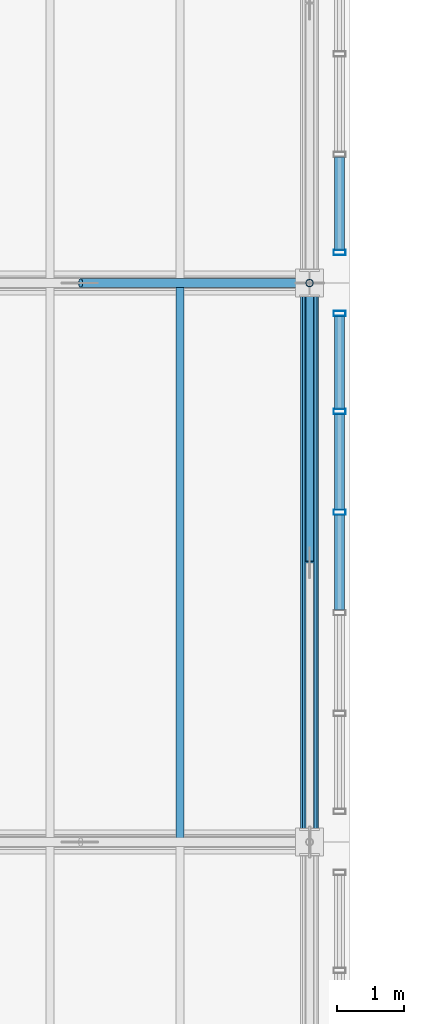
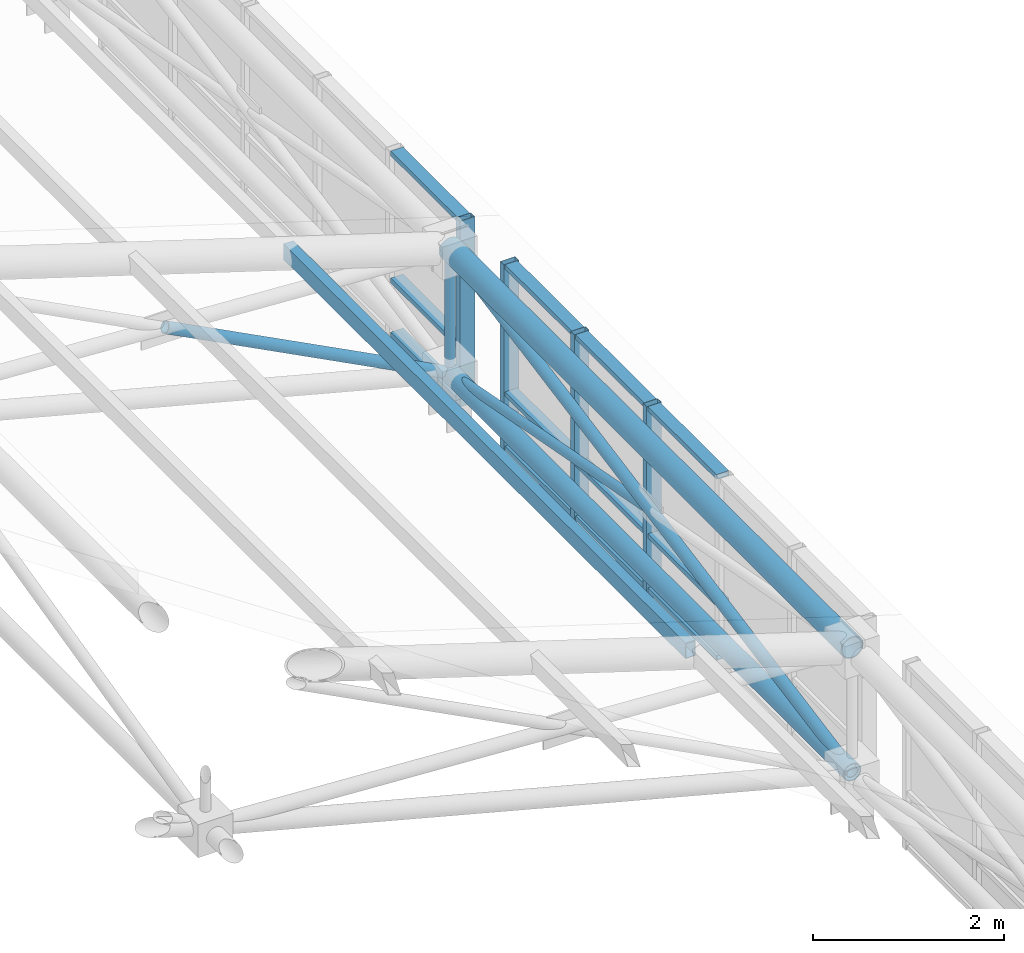
# One storey, part 88 of 144: 23 members, 2 elements without a shape of their own.
"""IFC4 building model written with IfcOpenShell, lengths in metres."""

from ifc_helpers import new_model, si_unit, direction, frame, origin, origin_2d, place, context, subcontext, project, spatial, hollow_rectangle, hollow_circle, extrude, material, layer, layer_set, material_profile, profile_set, type_object, element, aggregate, save


model = new_model("IFC4")

# Units and contexts
model_context = context("Model", 3, precision=1e-05, world=origin(), true_north=direction((0.0, 1.0)))
body_context = subcontext(model_context, "Body", "Model", "MODEL_VIEW")
ifc_project = project(units=[si_unit("LENGTHUNIT", "METRE"), si_unit("AREAUNIT", "SQUARE_METRE"), si_unit("VOLUMEUNIT", "CUBIC_METRE"), si_unit("PLANEANGLEUNIT", "RADIAN"), si_unit("MASSUNIT", "GRAM", prefix="KILO")], contexts=[model_context])

# Site, building, storey
site_placement = place(None, origin())
site = spatial("IfcSite", under=ifc_project, at=site_placement, CompositionType="ELEMENT")
building_placement = place(site_placement, origin())
building = spatial("IfcBuilding", under=site, at=building_placement, Name="Zayran Congress Hotel", CompositionType="ELEMENT")
storey_placement = place(building_placement, frame((0.0, 0.0, 19.199951171875)))
storey = spatial("IfcBuildingStorey", under=building, at=storey_placement, Name="L04", CompositionType="ELEMENT", Elevation=19.199951171875)

# Members
ifc_material_1 = material(Name="Steel S355", Category="steel")
ifc_material_profile_1 = material_profile(ifc_material_1, hollow_circle(Radius=0.136474609375, WallThickness=0.012451171875, at=origin_2d()), Name="CHS 273x12.5")
ifc_profile_set_1 = profile_set([ifc_material_profile_1], Name="Steel S355")
member_type_1 = type_object("IfcMemberType", Name="TP-SF-TC2", PredefinedType="CHORD", material=ifc_profile_set_1)
member_1_placement = place(storey_placement, frame((91.800048828125, 76.0, 2.19140625), z_axis=(0.0, 1.0, 0.0), x_axis=(-1.0, 0.0, 0.0)))
element("IfcMember", 1, at=member_1_placement, inside=storey, type_object=member_type_1, Name="Space Frame Top Chord Y 548", PredefinedType="CHORD", context=body_context, shape_type="SweptSolid", body=[
    extrude(hollow_circle(Radius=0.136474609375, WallThickness=0.012451171875, at=origin_2d()), origin(), (0.0, 0.0, 1.0), 8.39990234375),
])
ifc_material_profile_2 = material_profile(ifc_material_1, hollow_circle(Radius=0.109619140625, WallThickness=0.010009765625, at=origin_2d()), Name="CHS 219.1x10")
ifc_profile_set_2 = profile_set([ifc_material_profile_2], Name="Steel S355")
member_type_2 = type_object("IfcMemberType", Name="TP-SF-BC1", PredefinedType="CHORD", material=ifc_profile_set_2)
member_2_placement = place(storey_placement, frame((91.800048828125, 76.0, 0.60009765625), z_axis=(0.0, 1.0, 0.0), x_axis=(-1.0, 0.0, 0.0)))
element("IfcMember", 2, at=member_2_placement, inside=storey, type_object=member_type_2, Name="Space Frame Bottom Chord Y 549", PredefinedType="CHORD", context=body_context, shape_type="SweptSolid", body=[
    extrude(hollow_circle(Radius=0.109619140625, WallThickness=0.010009765625, at=origin_2d()), origin(), (0.0, 0.0, 1.0), 8.39990234375),
])
ifc_material_profile_3 = material_profile(ifc_material_1, hollow_circle(Radius=0.06982421875, WallThickness=0.00634765625, at=origin_2d()), Name="CHS 139.7x6.3")
ifc_profile_set_3 = profile_set([ifc_material_profile_3], Name="Steel S355")
member_type_3 = type_object("IfcMemberType", Name="TP-SF-DG2", PredefinedType="BRACE", material=ifc_profile_set_3)
member_3_placement = place(storey_placement, frame((88.359130859375, 84.39990234375, 2.387451171875), z_axis=(0.887419803116, 0.0, -0.4609621384), x_axis=(0.0, 1.0, 0.0)))
element("IfcMember", 3, at=member_3_placement, inside=storey, type_object=member_type_3, Name="Space Frame Counter Diagonal X Lower 78", PredefinedType="BRACE", context=body_context, shape_type="SweptSolid", body=[
    extrude(hollow_circle(Radius=0.06982421875, WallThickness=0.00634765625, at=origin_2d()), origin(), (0.0, 0.0, 1.0), 3.87744140625),
])
member_4_placement = place(storey_placement, frame((91.800048828125, 76.0, 0.60009765625), z_axis=(0.0, 0.982524541302, 0.186133086096), x_axis=(-1.0, 0.0, 0.0)))
element("IfcMember", 4, at=member_4_placement, inside=storey, type_object=member_type_3, Name="Space Frame Web Diagonal Y 550", PredefinedType="BRACE", context=body_context, shape_type="SweptSolid", body=[
    extrude(hollow_circle(Radius=0.06982421875, WallThickness=0.00634765625, at=origin_2d()), origin(), (0.0, 0.0, 1.0), 8.54931640625),
])
ifc_material_profile_4 = material_profile(ifc_material_1, hollow_circle(Radius=0.05712890625, WallThickness=0.00634765625, at=origin_2d()), Name="CHS 114.3x6.3")
ifc_profile_set_4 = profile_set([ifc_material_profile_4], Name="Steel S355")
member_type_4 = type_object("IfcMemberType", Name="TP-SF-DG3", PredefinedType="BRACE", material=ifc_profile_set_4)
member_5_placement = place(storey_placement, frame((91.800048828125, 80.214599609375, 1.39306640625), z_axis=(0.0, 0.982520698357, -0.186153370371), x_axis=(-1.0, 0.0, 0.0)))
element("IfcMember", 5, at=member_5_placement, inside=storey, type_object=member_type_4, Name="Space Frame Bracing Diagonal Y Lower 84", PredefinedType="BRACE", context=body_context, shape_type="SweptSolid", body=[
    extrude(hollow_circle(Radius=0.05712890625, WallThickness=0.00634765625, at=origin_2d()), origin(), (0.0, 0.0, 1.0), 4.259765625),
])
member_6_placement = place(storey_placement, frame((91.800048828125, 84.39990234375, 0.60009765625), z_axis=(0.0, 0.0, 1.0), x_axis=(0.0, 1.0, 0.0)))
element("IfcMember", 6, at=member_6_placement, inside=storey, type_object=member_type_4, Name="Space Frame Web Strut 557", PredefinedType="BRACE", context=body_context, shape_type="SweptSolid", body=[
    extrude(hollow_circle(Radius=0.05712890625, WallThickness=0.00634765625, at=origin_2d()), origin(), (0.0, 0.0, 1.0), 1.59130859375),
])
ifc_material_profile_5 = material_profile(ifc_material_1, hollow_rectangle(XDim=0.1201171875, YDim=0.199951171875, WallThickness=0.008056640625, at=origin_2d()), Name="RHS 200x120x8")
ifc_profile_set_5 = profile_set([ifc_material_profile_5], Name="Steel S355")
member_type_5 = type_object("IfcMemberType", Name="TP-PR-01", PredefinedType="PURLIN", material=ifc_profile_set_5)
member_7_placement = place(storey_placement, frame((89.85009765625, 76.0, 2.8486328125), z_axis=(0.0, 1.0, 0.0), x_axis=(-1.0, 0.0, 0.0)))
element("IfcMember", 7, at=member_7_placement, inside=storey, type_object=member_type_5, Name="MEM-PR-V1-0176", PredefinedType="PURLIN", context=body_context, shape_type="SweptSolid", body=[
    extrude(hollow_rectangle(XDim=0.1201171875, YDim=0.199951171875, WallThickness=0.008056640625, at=origin_2d()), origin(), (0.0, 0.0, 1.0), 8.39990234375),
])

# Curtain wall, members
ifc_material_2 = material(Name="Anodised aluminium and low-E insulated glass", Category="aluminium")
ifc_layer = layer(ifc_material_2, 0.179931640625)
ifc_layer_set = layer_set([ifc_layer], Name="Anodised aluminium and low-E insulated glass")
curtain_wall_type = type_object("IfcCurtainWallType", Name="CW-V1CL-L04-CW-41-7560-2370", PredefinedType="USERDEFINED", material=ifc_layer_set)
curtain_wall_1_placement = place(storey_placement, origin())
curtain_wall_1 = element("IfcCurtainWall", 8, at=curtain_wall_1_placement, inside=storey, type_object=curtain_wall_type, Name="CW-V1CLE-1", ObjectType="CURTAIN WALL", PredefinedType="USERDEFINED")
ifc_material_3 = material(Name="Anodised aluminium framing", Category="aluminium")
ifc_material_profile_6 = material_profile(ifc_material_3, hollow_rectangle(XDim=0.080078125, YDim=0.179931640625, WallThickness=0.0048828125, at=origin_2d()), Name="RHS 180x80x5")
ifc_profile_set_6 = profile_set([ifc_material_profile_6], Name="Anodised aluminium framing")
member_type_6 = type_object("IfcMemberType", Name="TP-CWM-01", PredefinedType="MULLION", material=ifc_profile_set_6)
member_8_placement = place(storey_placement, frame((92.25, 80.9560546875, -0.219970703125), z_axis=(0.0, 0.0, 1.0), x_axis=(0.0, 1.0, 0.0)))
member_8 = element("IfcMember", 9, at=member_8_placement, type_object=member_type_6, Name="CW-V1CLE-1-M03", PredefinedType="MULLION", context=body_context, shape_type="SweptSolid", body=[
    extrude(hollow_rectangle(XDim=0.080078125, YDim=0.179931640625, WallThickness=0.0048828125, at=origin_2d()), origin(), (0.0, 0.0, 1.0), 2.3701171875),
])
member_9_placement = place(storey_placement, frame((92.25, 82.468017578125, -0.219970703125), z_axis=(0.0, 0.0, 1.0), x_axis=(0.0, 1.0, 0.0)))
member_9 = element("IfcMember", 10, at=member_9_placement, type_object=member_type_6, Name="CW-V1CLE-1-M04", PredefinedType="MULLION", context=body_context, shape_type="SweptSolid", body=[
    extrude(hollow_rectangle(XDim=0.080078125, YDim=0.179931640625, WallThickness=0.0048828125, at=origin_2d()), origin(), (0.0, 0.0, 1.0), 2.3701171875),
])
member_10_placement = place(storey_placement, frame((92.25, 83.93994140625, -0.219970703125), z_axis=(0.0, 0.0, 1.0), x_axis=(0.0, 1.0, 0.0)))
member_10 = element("IfcMember", 11, at=member_10_placement, type_object=member_type_6, Name="CW-V1CLE-1-M05", PredefinedType="MULLION", context=body_context, shape_type="SweptSolid", body=[
    extrude(hollow_rectangle(XDim=0.080078125, YDim=0.179931640625, WallThickness=0.0048828125, at=origin_2d()), origin(), (0.0, 0.0, 1.0), 2.3701171875),
])

# Curtain wall, member
curtain_wall_2_placement = place(storey_placement, origin())
curtain_wall_2 = element("IfcCurtainWall", 12, at=curtain_wall_2_placement, inside=storey, type_object=curtain_wall_type, Name="CW-V1CLE-2", ObjectType="CURTAIN WALL", PredefinedType="USERDEFINED")
member_11_placement = place(storey_placement, frame((92.25, 84.860107421875, -0.219970703125), z_axis=(0.0, 0.0, 1.0), x_axis=(0.0, 1.0, 0.0)))
member_11 = element("IfcMember", 13, at=member_11_placement, type_object=member_type_6, Name="CW-V1CLE-2-M00", PredefinedType="MULLION", context=body_context, shape_type="SweptSolid", body=[
    extrude(hollow_rectangle(XDim=0.080078125, YDim=0.179931640625, WallThickness=0.0048828125, at=origin_2d()), origin(), (0.0, 0.0, 1.0), 2.3701171875),
])

# Member
ifc_material_profile_7 = material_profile(ifc_material_3, hollow_rectangle(XDim=0.06005859375, YDim=0.14990234375, WallThickness=0.00390625, at=origin_2d()), Name="RHS 150x60x4")
ifc_profile_set_7 = profile_set([ifc_material_profile_7], Name="Anodised aluminium framing")
member_type_7 = type_object("IfcMemberType", Name="TP-CWT-01", PredefinedType="USERDEFINED", material=ifc_profile_set_7)
member_12_placement = place(storey_placement, frame((92.25, 79.48388671875, -0.18994140625), z_axis=(0.0, 1.0, 0.0), x_axis=(0.0, 0.0, 1.0)))
member_12 = element("IfcMember", 14, at=member_12_placement, type_object=member_type_7, Name="CW-V1CLE-1-T02-0", ObjectType="TRANSOM", PredefinedType="USERDEFINED", context=body_context, shape_type="SweptSolid", body=[
    extrude(hollow_rectangle(XDim=0.06005859375, YDim=0.14990234375, WallThickness=0.00390625, at=origin_2d()), origin(), (0.0, 0.0, 1.0), 1.43212890625),
])

member_13_placement = place(storey_placement, frame((92.25, 79.48388671875, 0.5), z_axis=(0.0, 1.0, 0.0), x_axis=(0.0, 0.0, 1.0)))
member_13 = element("IfcMember", 15, at=member_13_placement, type_object=member_type_7, Name="CW-V1CLE-1-T02-1", ObjectType="TRANSOM", PredefinedType="USERDEFINED", context=body_context, shape_type="SweptSolid", body=[
    extrude(hollow_rectangle(XDim=0.06005859375, YDim=0.14990234375, WallThickness=0.00390625, at=origin_2d()), origin(), (0.0, 0.0, 1.0), 1.43212890625),
])

member_14_placement = place(storey_placement, frame((92.25, 79.48388671875, 2.1201171875), z_axis=(0.0, 1.0, 0.0), x_axis=(0.0, 0.0, 1.0)))
member_14 = element("IfcMember", 16, at=member_14_placement, type_object=member_type_7, Name="CW-V1CLE-1-T02-2", ObjectType="TRANSOM", PredefinedType="USERDEFINED", context=body_context, shape_type="SweptSolid", body=[
    extrude(hollow_rectangle(XDim=0.06005859375, YDim=0.14990234375, WallThickness=0.00390625, at=origin_2d()), origin(), (0.0, 0.0, 1.0), 1.43212890625),
])

member_15_placement = place(storey_placement, frame((92.25, 80.99609375, -0.18994140625), z_axis=(0.0, 1.0, 0.0), x_axis=(0.0, 0.0, 1.0)))
member_15 = element("IfcMember", 17, at=member_15_placement, type_object=member_type_7, Name="CW-V1CLE-1-T03-0", ObjectType="TRANSOM", PredefinedType="USERDEFINED", context=body_context, shape_type="SweptSolid", body=[
    extrude(hollow_rectangle(XDim=0.06005859375, YDim=0.14990234375, WallThickness=0.00390625, at=origin_2d()), origin(), (0.0, 0.0, 1.0), 1.431884765625),
])

member_16_placement = place(storey_placement, frame((92.25, 80.99609375, 0.5), z_axis=(0.0, 1.0, 0.0), x_axis=(0.0, 0.0, 1.0)))
member_16 = element("IfcMember", 18, at=member_16_placement, type_object=member_type_7, Name="CW-V1CLE-1-T03-1", ObjectType="TRANSOM", PredefinedType="USERDEFINED", context=body_context, shape_type="SweptSolid", body=[
    extrude(hollow_rectangle(XDim=0.06005859375, YDim=0.14990234375, WallThickness=0.00390625, at=origin_2d()), origin(), (0.0, 0.0, 1.0), 1.431884765625),
])

member_17_placement = place(storey_placement, frame((92.25, 80.99609375, 2.1201171875), z_axis=(0.0, 1.0, 0.0), x_axis=(0.0, 0.0, 1.0)))
member_17 = element("IfcMember", 19, at=member_17_placement, type_object=member_type_7, Name="CW-V1CLE-1-T03-2", ObjectType="TRANSOM", PredefinedType="USERDEFINED", context=body_context, shape_type="SweptSolid", body=[
    extrude(hollow_rectangle(XDim=0.06005859375, YDim=0.14990234375, WallThickness=0.00390625, at=origin_2d()), origin(), (0.0, 0.0, 1.0), 1.431884765625),
])

member_18_placement = place(storey_placement, frame((92.25, 82.508056640625, -0.18994140625), z_axis=(0.0, 1.0, 0.0), x_axis=(0.0, 0.0, 1.0)))
member_18 = element("IfcMember", 20, at=member_18_placement, type_object=member_type_7, Name="CW-V1CLE-1-T04-0", ObjectType="TRANSOM", PredefinedType="USERDEFINED", context=body_context, shape_type="SweptSolid", body=[
    extrude(hollow_rectangle(XDim=0.06005859375, YDim=0.14990234375, WallThickness=0.00390625, at=origin_2d()), origin(), (0.0, 0.0, 1.0), 1.391845703125),
])

member_19_placement = place(storey_placement, frame((92.25, 82.508056640625, 0.5), z_axis=(0.0, 1.0, 0.0), x_axis=(0.0, 0.0, 1.0)))
member_19 = element("IfcMember", 21, at=member_19_placement, type_object=member_type_7, Name="CW-V1CLE-1-T04-1", ObjectType="TRANSOM", PredefinedType="USERDEFINED", context=body_context, shape_type="SweptSolid", body=[
    extrude(hollow_rectangle(XDim=0.06005859375, YDim=0.14990234375, WallThickness=0.00390625, at=origin_2d()), origin(), (0.0, 0.0, 1.0), 1.391845703125),
])

member_20_placement = place(storey_placement, frame((92.25, 82.508056640625, 2.1201171875), z_axis=(0.0, 1.0, 0.0), x_axis=(0.0, 0.0, 1.0)))
member_20 = element("IfcMember", 22, at=member_20_placement, type_object=member_type_7, Name="CW-V1CLE-1-T04-2", ObjectType="TRANSOM", PredefinedType="USERDEFINED", context=body_context, shape_type="SweptSolid", body=[
    extrude(hollow_rectangle(XDim=0.06005859375, YDim=0.14990234375, WallThickness=0.00390625, at=origin_2d()), origin(), (0.0, 0.0, 1.0), 1.391845703125),
])

aggregate(curtain_wall_1, [member_8, member_9, member_10, member_12, member_13, member_14, member_15, member_16, member_17, member_18, member_19, member_20])

member_21_placement = place(storey_placement, frame((92.25, 84.89990234375, -0.18994140625), z_axis=(0.0, 1.0, 0.0), x_axis=(0.0, 0.0, 1.0)))
member_21 = element("IfcMember", 23, at=member_21_placement, type_object=member_type_7, Name="CW-V1CLE-2-T00-0", ObjectType="TRANSOM", PredefinedType="USERDEFINED", context=body_context, shape_type="SweptSolid", body=[
    extrude(hollow_rectangle(XDim=0.06005859375, YDim=0.14990234375, WallThickness=0.00390625, at=origin_2d()), origin(), (0.0, 0.0, 1.0), 1.39208984375),
])

member_22_placement = place(storey_placement, frame((92.25, 84.89990234375, 0.5), z_axis=(0.0, 1.0, 0.0), x_axis=(0.0, 0.0, 1.0)))
member_22 = element("IfcMember", 24, at=member_22_placement, type_object=member_type_7, Name="CW-V1CLE-2-T00-1", ObjectType="TRANSOM", PredefinedType="USERDEFINED", context=body_context, shape_type="SweptSolid", body=[
    extrude(hollow_rectangle(XDim=0.06005859375, YDim=0.14990234375, WallThickness=0.00390625, at=origin_2d()), origin(), (0.0, 0.0, 1.0), 1.39208984375),
])

member_23_placement = place(storey_placement, frame((92.25, 84.89990234375, 2.1201171875), z_axis=(0.0, 1.0, 0.0), x_axis=(0.0, 0.0, 1.0)))
member_23 = element("IfcMember", 25, at=member_23_placement, type_object=member_type_7, Name="CW-V1CLE-2-T00-2", ObjectType="TRANSOM", PredefinedType="USERDEFINED", context=body_context, shape_type="SweptSolid", body=[
    extrude(hollow_rectangle(XDim=0.06005859375, YDim=0.14990234375, WallThickness=0.00390625, at=origin_2d()), origin(), (0.0, 0.0, 1.0), 1.39208984375),
])

aggregate(curtain_wall_2, [member_11, member_21, member_22, member_23])

save(model, "model.ifc")
